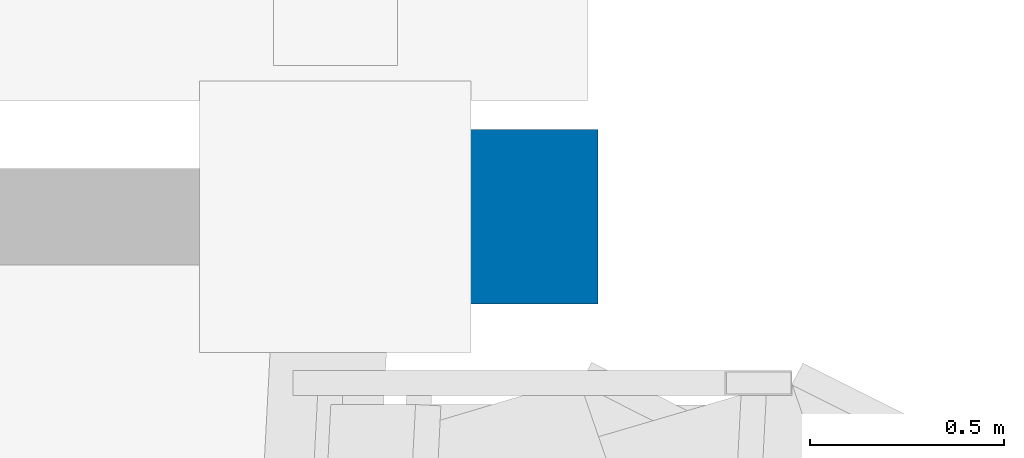
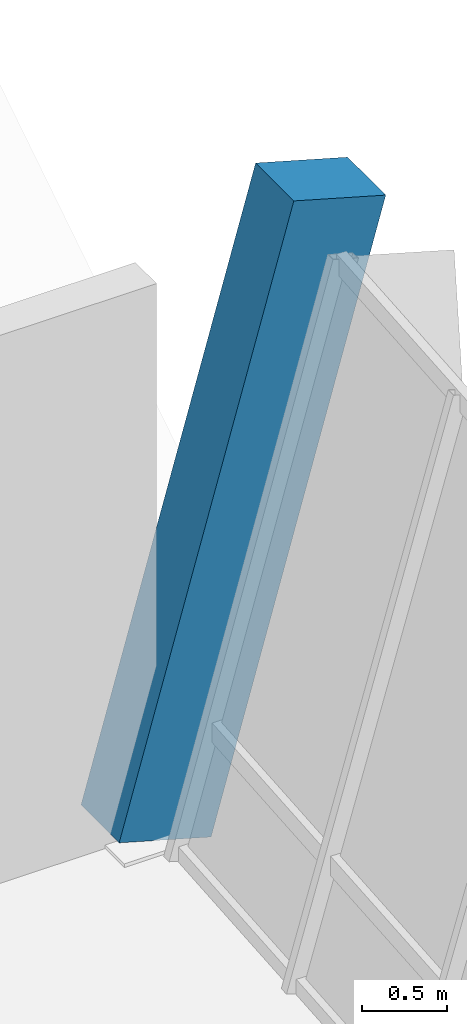
# One storey, part 7 of 182: 1 column.
"""IFC4 building model written with IfcOpenShell, lengths in metres."""

from ifc_helpers import new_model, si_unit, direction, frame, origin, origin_2d, place, context, subcontext, project, spatial, rectangle, extrude, material, material_profile, profile_set, type_object, element, save


model = new_model("IFC4")

# Units and contexts
model_context = context("Model", 3, precision=1e-05, world=origin(), true_north=direction((0.0, 1.0)))
body_context = subcontext(model_context, "Body", "Model", "MODEL_VIEW")
ifc_project = project(units=[si_unit("LENGTHUNIT", "METRE"), si_unit("AREAUNIT", "SQUARE_METRE"), si_unit("VOLUMEUNIT", "CUBIC_METRE"), si_unit("PLANEANGLEUNIT", "RADIAN"), si_unit("MASSUNIT", "GRAM", prefix="KILO")], contexts=[model_context])

# Site, building, storey
site_placement = place(None, origin())
site = spatial("IfcSite", under=ifc_project, at=site_placement, CompositionType="ELEMENT")
building_placement = place(site_placement, origin())
building = spatial("IfcBuilding", under=site, at=building_placement, Name="Chiffa Square Polytechnic", CompositionType="ELEMENT")
storey_placement = place(building_placement, frame((0.0, 0.0, 9.60009765625)))
storey = spatial("IfcBuildingStorey", under=building, at=storey_placement, Name="L02", CompositionType="ELEMENT", Elevation=9.60009765625)

# Column
ifc_material = material(Name="Glulam GL32c", Category="wood")
ifc_material_profile = material_profile(ifc_material, rectangle(XDim=0.449951171875, YDim=0.64990234375, at=origin_2d()), Name="GL32c 450x650")
ifc_profile_set = profile_set([ifc_material_profile], Name="Glulam GL32c")
column_type = type_object("IfcColumnType", Name="COL-RAKED-GL650", PredefinedType="USERDEFINED", material=ifc_profile_set)
column_placement = place(storey_placement, frame((175.199951171875, 57.35009765625, 0.0), z_axis=(0.272178827903, 0.0, 0.96224668648), x_axis=(0.0, 1.0, 0.0)))
element("IfcColumn", 1, at=column_placement, inside=storey, type_object=column_type, Name="Outward-leaning glulam column CRK-V1-L02-18", ObjectType="RAKED COLUMN", PredefinedType="USERDEFINED", context=body_context, shape_type="SweptSolid", body=[
    extrude(rectangle(XDim=0.449951171875, YDim=0.64990234375, at=origin_2d()), origin(), (0.0, 0.0, 1.0), 4.36474609375),
])

save(model, "model.ifc")
